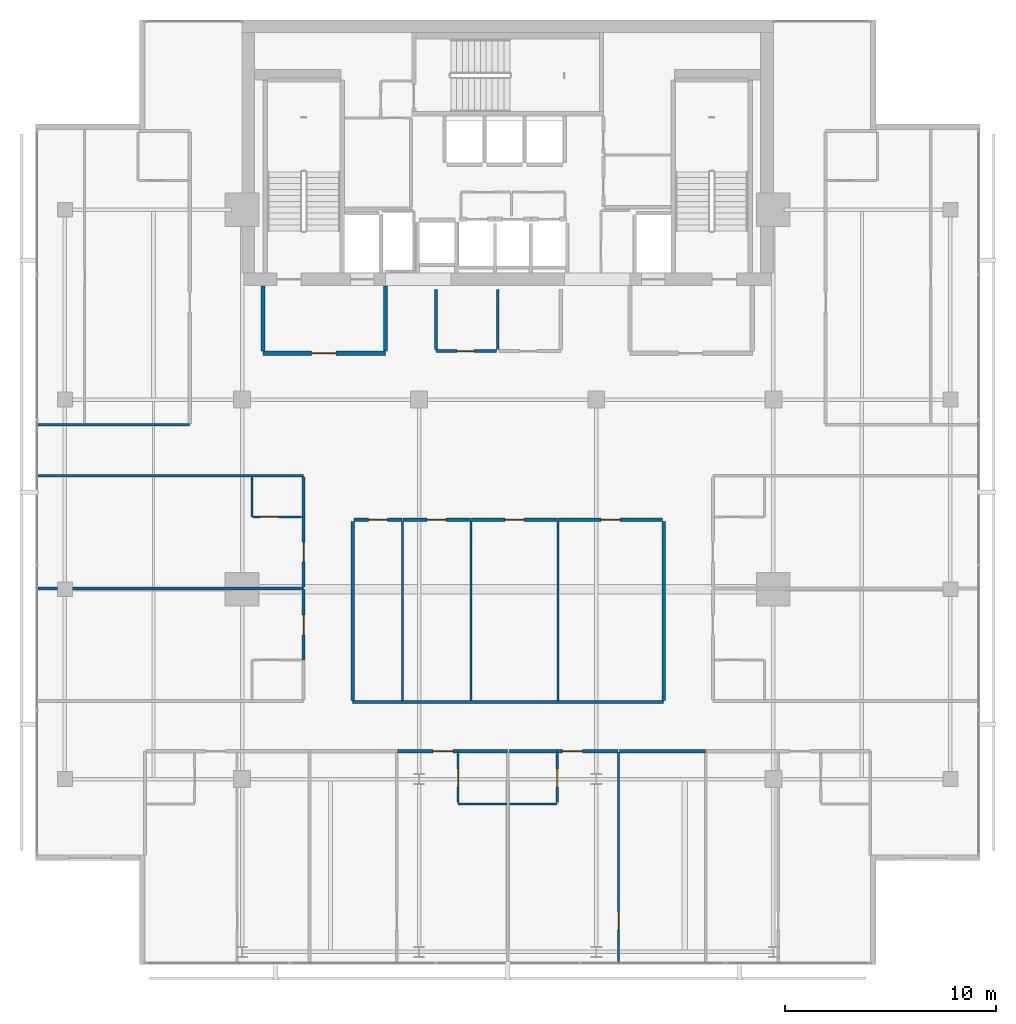
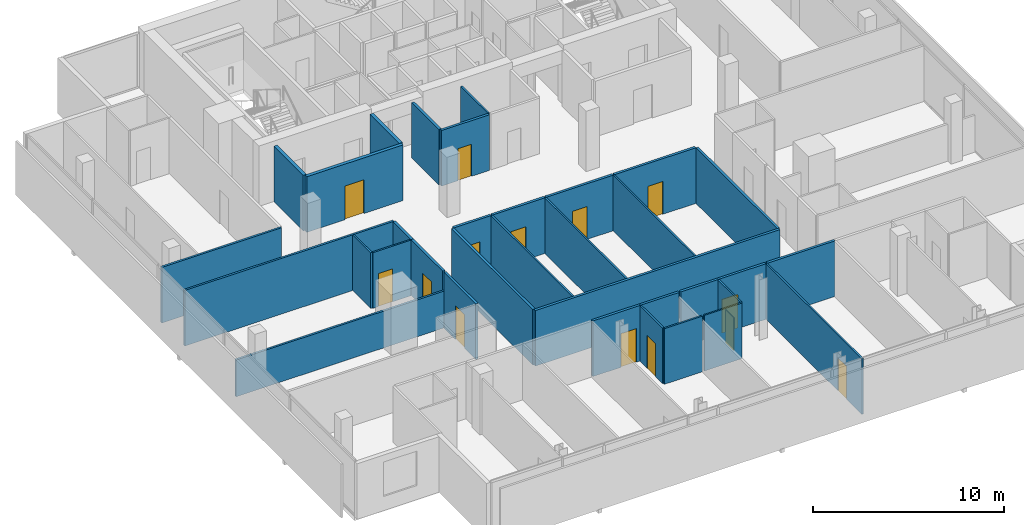
# One storey, part 20 of 26: 34 walls, 14 doors, 14 openings.
"""IFC4 building model written with IfcOpenShell, lengths in metres."""

from ifc_helpers import new_model, si_unit, direction, frame, frame_2d, origin, place, context, subcontext, project, spatial, rectangle, extrude, material, layer, layer_set, type_object, element, fill, save


model = new_model("IFC4")

# Units and contexts
model_context = context("Model", 3, precision=1e-05, world=origin(), true_north=direction((0.0, 1.0)))
body_context = subcontext(model_context, "Body", "Model", "MODEL_VIEW")
ifc_project = project(units=[si_unit("LENGTHUNIT", "METRE"), si_unit("AREAUNIT", "SQUARE_METRE"), si_unit("VOLUMEUNIT", "CUBIC_METRE"), si_unit("PLANEANGLEUNIT", "RADIAN"), si_unit("MASSUNIT", "GRAM", prefix="KILO")], contexts=[model_context])

# Site, building, storey
site_placement = place(None, origin())
site = spatial("IfcSite", under=ifc_project, at=site_placement, CompositionType="ELEMENT")
building_placement = place(site_placement, origin())
building = spatial("IfcBuilding", under=site, at=building_placement, Name="Maruvema Waterfront Hotel and Observation Tower", CompositionType="ELEMENT")
storey_placement = place(building_placement, frame((0.0, 0.0, 312.550048828125)))
storey = spatial("IfcBuildingStorey", under=building, at=storey_placement, Name="L77", CompositionType="ELEMENT", Elevation=312.550048828125)

# Wall, opening, door
ifc_material_1 = material(Name="Twin-stud acoustic gypsum drywall", Category="gypsum")
ifc_layer_1 = layer(ifc_material_1, 0.14990234375, Name="Acoustic Corridor and Suite Demising Wall 150 mm")
ifc_layer_set_1 = layer_set([ifc_layer_1], Name="Twin-stud acoustic gypsum drywall")
wall_type_1 = type_object("IfcWallType", Name="Acoustic Corridor and Suite Demising Wall 150 mm", PredefinedType="PARTITIONING", material=ifc_layer_set_1)
wall_1_placement = place(storey_placement, frame((34.39990234375, 38.300048828125, 0.0), z_axis=(0.0, 0.0, 1.0), x_axis=(1.0, 0.0, 0.0)))
wall_1 = element("IfcWall", 1, at=wall_1_placement, inside=storey, type_object=wall_type_1, Name="L77 Core Apron K2A South 026", PredefinedType="PARTITIONING", context=body_context, shape_type="SweptSolid", body=[
    extrude(rectangle(XDim=2.880126953125, YDim=0.14990234375, at=frame_2d((1.43994140625, 0.0))), origin(), (0.0, 0.0, 1.0), 3.550048828125),
])
opening_1_placement = place(wall_1_placement, frame((1.0, 0.0, 0.0)))
opening_1 = element("IfcOpeningElement", 2, at=opening_1_placement, cuts=wall_1, Name="Opening DR-080", PredefinedType="OPENING", context=body_context, shape_type="SweptSolid", body=[
    extrude(rectangle(XDim=0.800048828125, YDim=2.050048828125, at=frame_2d((0.39990234375, 1.02490234375))), frame((0.0, 0.0849609375, 0.0), z_axis=(0.0, -1.0, 0.0), x_axis=(1.0, 0.0, 0.0)), (0.0, 0.0, 1.0), 0.169921875),
])
ifc_material_2 = material(Name="Powder-coated steel access leaf", Category="steel")
door_type_1 = type_object("IfcDoorType", Name="Riser and Service Cupboard Door 800x2050 mm", OperationType="NOTDEFINED", PredefinedType="DOOR", material=ifc_material_2)
door_1_placement = place(opening_1_placement, frame((0.800048828125, 0.0, 0.0), z_axis=(0.0, 0.0, 1.0), x_axis=(-1.0, 0.0, 0.0)))
door_1 = element("IfcDoor", 3, at=door_1_placement, inside=storey, type_object=door_type_1, Name="L77 Core Ice Alcove Door", OperationType="SINGLE_SWING_RIGHT", OverallHeight=2.050048828125, OverallWidth=0.800048828125, PredefinedType="DOOR", context=body_context, shape_type="SweptSolid", body=[
    extrude(rectangle(XDim=0.800048828125, YDim=2.050048828125, at=frame_2d((0.39990234375, 1.02490234375))), frame((0.0, 0.02490234375, 0.0), z_axis=(0.0, -1.0, 0.0), x_axis=(1.0, 0.0, 0.0)), (0.0, 0.0, 1.0), 0.050048828125),
])
fill(opening_1, door_1)

# Walls
wall_2_placement = place(storey_placement, frame((34.39990234375, 38.3798828125, 0.0), z_axis=(0.0, 0.0, 1.0), x_axis=(0.0, 1.0, 0.0)))
element("IfcWall", 4, at=wall_2_placement, inside=storey, type_object=wall_type_1, Name="L77 Core Apron K2 West 028", PredefinedType="PARTITIONING", context=body_context, shape_type="SweptSolid", body=[
    extrude(rectangle(XDim=2.840087890625, YDim=0.14990234375, at=frame_2d((1.419921875, 0.0))), origin(), (0.0, 0.0, 1.0), 3.550048828125),
])
wall_3_placement = place(storey_placement, frame((30.449951171875, 21.64990234375, 0.0), z_axis=(0.0, 0.0, 1.0), x_axis=(1.0, 0.0, 0.0)))
element("IfcWall", 5, at=wall_3_placement, inside=storey, type_object=wall_type_1, Name="L77 L77-Z3M Back Wall 031", PredefinedType="PARTITIONING", context=body_context, shape_type="SweptSolid", body=[
    extrude(rectangle(XDim=14.75, YDim=0.14990234375, at=frame_2d((7.375, 0.0))), origin(), (0.0, 0.0, 1.0), 3.550048828125),
])
for number, where, z_axis, x_axis, name in (
    (6, (30.449951171875, 21.72998046875, 0.0), (0.0, 0.0, 1.0), (0.0, 1.0, 0.0), "L77 L77-Z3M West Wall 032"),
    (7, (45.199951171875, 21.72998046875, 0.0), (0.0, 0.0, 1.0), (0.0, 1.0, 0.0), "L77 L77-Z3M East Wall 033"),
):
    element("IfcWall", number, at=place(storey_placement, frame(where, z_axis=z_axis, x_axis=x_axis)), inside=storey, type_object=wall_type_1, Name=name, PredefinedType="PARTITIONING", context=body_context, shape_type="SweptSolid", body=[
        extrude(rectangle(XDim=8.489990234375, YDim=0.14990234375, at=frame_2d((4.2451171875, 0.0))), origin(), (0.0, 0.0, 1.0), 3.550048828125),
    ])

# Wall, opening, door
wall_4_placement = place(storey_placement, frame((30.510009765625, 30.300048828125, 0.0), z_axis=(0.0, 0.0, 1.0), x_axis=(1.0, 0.0, 0.0)))
wall_4 = element("IfcWall", 8, at=wall_4_placement, inside=storey, type_object=wall_type_1, Name="L77 L77-Z3M Front 1 034", PredefinedType="PARTITIONING", context=body_context, shape_type="SweptSolid", body=[
    extrude(rectangle(XDim=2.27001953125, YDim=0.14990234375, at=frame_2d((1.135009765625, 0.0))), origin(), (0.0, 0.0, 1.0), 3.550048828125),
])
opening_2_placement = place(wall_4_placement, frame((0.68505859375, 0.0, 0.0)))
opening_2 = element("IfcOpeningElement", 9, at=opening_2_placement, cuts=wall_4, Name="Opening DR-090", PredefinedType="OPENING", context=body_context, shape_type="SweptSolid", body=[
    extrude(rectangle(XDim=0.89990234375, YDim=2.10009765625, at=frame_2d((0.449951171875, 1.050048828125))), frame((0.0, 0.0849609375, 0.0), z_axis=(0.0, -1.0, 0.0), x_axis=(1.0, 0.0, 0.0)), (0.0, 0.0, 1.0), 0.169921875),
])
ifc_material_3 = material(Name="Solid-core lacquered timber leaf", Category="wood")
door_type_2 = type_object("IfcDoorType", Name="Accessible Toilet and Room Door 900x2100 mm", OperationType="NOTDEFINED", PredefinedType="DOOR", material=ifc_material_3)
door_2_placement = place(opening_2_placement, origin())
door_2 = element("IfcDoor", 10, at=door_2_placement, inside=storey, type_object=door_type_2, Name="L77 Royal Dining Salon 1 Door", OperationType="SINGLE_SWING_RIGHT", OverallHeight=2.10009765625, OverallWidth=0.89990234375, PredefinedType="DOOR", context=body_context, shape_type="SweptSolid", body=[
    extrude(rectangle(XDim=0.89990234375, YDim=2.10009765625, at=frame_2d((0.449951171875, 1.050048828125))), frame((0.0, 0.02490234375, 0.0), z_axis=(0.0, -1.0, 0.0), x_axis=(1.0, 0.0, 0.0)), (0.0, 0.0, 1.0), 0.050048828125),
])
fill(opening_2, door_2)

wall_5_placement = place(storey_placement, frame((32.840087890625, 30.300048828125, 0.0), z_axis=(0.0, 0.0, 1.0), x_axis=(1.0, 0.0, 0.0)))
wall_5 = element("IfcWall", 11, at=wall_5_placement, inside=storey, type_object=wall_type_1, Name="L77 L77-Z3M Front 2 036", PredefinedType="PARTITIONING", context=body_context, shape_type="SweptSolid", body=[
    extrude(rectangle(XDim=3.184814453125, YDim=0.14990234375, at=frame_2d((1.59228515625, 0.0))), origin(), (0.0, 0.0, 1.0), 3.550048828125),
])
opening_3_placement = place(wall_5_placement, frame((1.142578125, 0.0, 0.0)))
opening_3 = element("IfcOpeningElement", 12, at=opening_3_placement, cuts=wall_5, Name="Opening DR-090", PredefinedType="OPENING", context=body_context, shape_type="SweptSolid", body=[
    extrude(rectangle(XDim=0.89990234375, YDim=2.10009765625, at=frame_2d((0.449951171875, 1.050048828125))), frame((0.0, 0.0849609375, 0.0), z_axis=(0.0, -1.0, 0.0), x_axis=(1.0, 0.0, 0.0)), (0.0, 0.0, 1.0), 0.169921875),
])
door_3_placement = place(opening_3_placement, origin())
door_3 = element("IfcDoor", 13, at=door_3_placement, inside=storey, type_object=door_type_2, Name="L77 Royal Dining Salon 2 Door", OperationType="SINGLE_SWING_LEFT", OverallHeight=2.10009765625, OverallWidth=0.89990234375, PredefinedType="DOOR", context=body_context, shape_type="SweptSolid", body=[
    extrude(rectangle(XDim=0.89990234375, YDim=2.10009765625, at=frame_2d((0.449951171875, 1.050048828125))), frame((0.0, 0.02490234375, 0.0), z_axis=(0.0, -1.0, 0.0), x_axis=(1.0, 0.0, 0.0)), (0.0, 0.0, 1.0), 0.050048828125),
])
fill(opening_3, door_3)

wall_6_placement = place(storey_placement, frame((36.0849609375, 30.300048828125, 0.0), z_axis=(0.0, 0.0, 1.0), x_axis=(1.0, 0.0, 0.0)))
wall_6 = element("IfcWall", 14, at=wall_6_placement, inside=storey, type_object=wall_type_1, Name="L77 L77-Z3M Front 3 038", PredefinedType="PARTITIONING", context=body_context, shape_type="SweptSolid", body=[
    extrude(rectangle(XDim=4.070068359375, YDim=0.14990234375, at=frame_2d((2.03515625, 0.0))), origin(), (0.0, 0.0, 1.0), 3.550048828125),
])
opening_4_placement = place(wall_6_placement, frame((1.5849609375, 0.0, 0.0)))
opening_4 = element("IfcOpeningElement", 15, at=opening_4_placement, cuts=wall_6, Name="Opening DR-090", PredefinedType="OPENING", context=body_context, shape_type="SweptSolid", body=[
    extrude(rectangle(XDim=0.89990234375, YDim=2.10009765625, at=frame_2d((0.449951171875, 1.050048828125))), frame((0.0, 0.0849609375, 0.0), z_axis=(0.0, -1.0, 0.0), x_axis=(1.0, 0.0, 0.0)), (0.0, 0.0, 1.0), 0.169921875),
])
door_4_placement = place(opening_4_placement, origin())
door_4 = element("IfcDoor", 16, at=door_4_placement, inside=storey, type_object=door_type_2, Name="L77 Royal Show Kitchen Door", OperationType="SINGLE_SWING_RIGHT", OverallHeight=2.10009765625, OverallWidth=0.89990234375, PredefinedType="DOOR", context=body_context, shape_type="SweptSolid", body=[
    extrude(rectangle(XDim=0.89990234375, YDim=2.10009765625, at=frame_2d((0.449951171875, 1.050048828125))), frame((0.0, 0.02490234375, 0.0), z_axis=(0.0, -1.0, 0.0), x_axis=(1.0, 0.0, 0.0)), (0.0, 0.0, 1.0), 0.050048828125),
])
fill(opening_4, door_4)

wall_7_placement = place(storey_placement, frame((40.215087890625, 30.300048828125, 0.0), z_axis=(0.0, 0.0, 1.0), x_axis=(1.0, 0.0, 0.0)))
wall_7 = element("IfcWall", 17, at=wall_7_placement, inside=storey, type_object=wall_type_1, Name="L77 L77-Z3M Front 4 040", PredefinedType="PARTITIONING", context=body_context, shape_type="SweptSolid", body=[
    extrude(rectangle(XDim=4.9248046875, YDim=0.14990234375, at=frame_2d((2.46240234375, 0.0))), origin(), (0.0, 0.0, 1.0), 3.550048828125),
])
opening_5_placement = place(wall_7_placement, frame((2.012451171875, 0.0, 0.0)))
opening_5 = element("IfcOpeningElement", 18, at=opening_5_placement, cuts=wall_7, Name="Opening DR-090", PredefinedType="OPENING", context=body_context, shape_type="SweptSolid", body=[
    extrude(rectangle(XDim=0.89990234375, YDim=2.10009765625, at=frame_2d((0.449951171875, 1.050048828125))), frame((0.0, 0.0849609375, 0.0), z_axis=(0.0, -1.0, 0.0), x_axis=(1.0, 0.0, 0.0)), (0.0, 0.0, 1.0), 0.169921875),
])
door_5_placement = place(opening_5_placement, origin())
door_5 = element("IfcDoor", 19, at=door_5_placement, inside=storey, type_object=door_type_2, Name="L77 Security Office Door", OperationType="SINGLE_SWING_LEFT", OverallHeight=2.10009765625, OverallWidth=0.89990234375, PredefinedType="DOOR", context=body_context, shape_type="SweptSolid", body=[
    extrude(rectangle(XDim=0.89990234375, YDim=2.10009765625, at=frame_2d((0.449951171875, 1.050048828125))), frame((0.0, 0.02490234375, 0.0), z_axis=(0.0, -1.0, 0.0), x_axis=(1.0, 0.0, 0.0)), (0.0, 0.0, 1.0), 0.050048828125),
])
fill(opening_5, door_5)

# Wall
wall_8_placement = place(storey_placement, frame((35.449951171875, 19.320068359375, 0.0), z_axis=(0.0, 0.0, 1.0), x_axis=(1.0, 0.0, 0.0)))
element("IfcWall", 20, at=wall_8_placement, inside=storey, type_object=wall_type_1, Name="L77 Bath L77-S2 Back Wall 050", PredefinedType="PARTITIONING", context=body_context, shape_type="SweptSolid", body=[
    extrude(rectangle(XDim=2.330078125, YDim=0.14990234375, at=frame_2d((1.1650390625, 0.0))), origin(), (0.0, 0.0, 1.0), 3.550048828125),
])

# Wall, opening, door
wall_9_placement = place(storey_placement, frame((32.575927734375, 19.320068359375, 0.0), z_axis=(0.0, 0.0, 1.0), x_axis=(1.0, 0.0, 0.0)))
wall_9 = element("IfcWall", 21, at=wall_9_placement, inside=storey, type_object=wall_type_1, Name="L77 Unit L77-S2 Corridor Wall 054", PredefinedType="PARTITIONING", context=body_context, shape_type="SweptSolid", body=[
    extrude(rectangle(XDim=2.8740234375, YDim=0.14990234375, at=frame_2d((1.43701171875, 0.0))), origin(), (0.0, 0.0, 1.0), 3.550048828125),
])
opening_6_placement = place(wall_9_placement, frame((1.681884765625, 0.0, 0.0)))
opening_6 = element("IfcOpeningElement", 22, at=opening_6_placement, cuts=wall_9, Name="Opening DR-095", PredefinedType="OPENING", context=body_context, shape_type="SweptSolid", body=[
    extrude(rectangle(XDim=0.949951171875, YDim=2.14990234375, at=frame_2d((0.47509765625, 1.074951171875))), frame((0.0, 0.0849609375, 0.0), z_axis=(0.0, -1.0, 0.0), x_axis=(1.0, 0.0, 0.0)), (0.0, 0.0, 1.0), 0.169921875),
])
ifc_material_4 = material(Name="Acoustic solid-core hardwood timber leaf", Category="wood")
door_type_3 = type_object("IfcDoorType", Name="Guestroom Entrance Fire Door 950x2150 mm", OperationType="NOTDEFINED", PredefinedType="DOOR", material=ifc_material_4)
door_6_placement = place(opening_6_placement, frame((0.949951171875, 0.0, 0.0), z_axis=(0.0, 0.0, 1.0), x_axis=(-1.0, 0.0, 0.0)))
door_6 = element("IfcDoor", 23, at=door_6_placement, inside=storey, type_object=door_type_3, Name="L77 Unit L77-S2 Entrance Door", OperationType="SINGLE_SWING_RIGHT", OverallHeight=2.14990234375, OverallWidth=0.949951171875, PredefinedType="DOOR", context=body_context, shape_type="SweptSolid", body=[
    extrude(rectangle(XDim=0.949951171875, YDim=2.14990234375, at=frame_2d((0.47509765625, 1.074951171875))), frame((0.0, 0.02490234375, 0.0), z_axis=(0.0, -1.0, 0.0), x_axis=(1.0, 0.0, 0.0)), (0.0, 0.0, 1.0), 0.050048828125),
])
fill(opening_6, door_6)

# Wall
wall_10_placement = place(storey_placement, frame((37.8798828125, 19.320068359375, 0.0), z_axis=(0.0, 0.0, 1.0), x_axis=(1.0, 0.0, 0.0)))
element("IfcWall", 24, at=wall_10_placement, inside=storey, type_object=wall_type_1, Name="L77 Bath L77-S3 Back Wall 057", PredefinedType="PARTITIONING", context=body_context, shape_type="SweptSolid", body=[
    extrude(rectangle(XDim=2.27001953125, YDim=0.14990234375, at=frame_2d((1.135009765625, 0.0))), origin(), (0.0, 0.0, 1.0), 3.550048828125),
])

# Wall, opening, door
wall_11_placement = place(storey_placement, frame((40.14990234375, 19.320068359375, 0.0), z_axis=(0.0, 0.0, 1.0), x_axis=(1.0, 0.0, 0.0)))
wall_11 = element("IfcWall", 25, at=wall_11_placement, inside=storey, type_object=wall_type_1, Name="L77 Unit L77-S3 Corridor Wall 060", PredefinedType="PARTITIONING", context=body_context, shape_type="SweptSolid", body=[
    extrude(rectangle(XDim=2.8740234375, YDim=0.14990234375, at=frame_2d((1.43701171875, 0.0))), origin(), (0.0, 0.0, 1.0), 3.550048828125),
])
opening_7_placement = place(wall_11_placement, frame((0.241943359375, 0.0, 0.0)))
opening_7 = element("IfcOpeningElement", 26, at=opening_7_placement, cuts=wall_11, Name="Opening DR-095", PredefinedType="OPENING", context=body_context, shape_type="SweptSolid", body=[
    extrude(rectangle(XDim=0.949951171875, YDim=2.14990234375, at=frame_2d((0.47509765625, 1.074951171875))), frame((0.0, 0.0849609375, 0.0), z_axis=(0.0, -1.0, 0.0), x_axis=(1.0, 0.0, 0.0)), (0.0, 0.0, 1.0), 0.169921875),
])
door_7_placement = place(opening_7_placement, frame((0.949951171875, 0.0, 0.0), z_axis=(0.0, 0.0, 1.0), x_axis=(-1.0, 0.0, 0.0)))
door_7 = element("IfcDoor", 27, at=door_7_placement, inside=storey, type_object=door_type_3, Name="L77 Unit L77-S3 Entrance Door", OperationType="SINGLE_SWING_LEFT", OverallHeight=2.14990234375, OverallWidth=0.949951171875, PredefinedType="DOOR", context=body_context, shape_type="SweptSolid", body=[
    extrude(rectangle(XDim=0.949951171875, YDim=2.14990234375, at=frame_2d((0.47509765625, 1.074951171875))), frame((0.0, 0.02490234375, 0.0), z_axis=(0.0, -1.0, 0.0), x_axis=(1.0, 0.0, 0.0)), (0.0, 0.0, 1.0), 0.050048828125),
])
fill(opening_7, door_7)

# Wall
wall_12_placement = place(storey_placement, frame((43.10400390625, 19.320068359375, 0.0), z_axis=(0.0, 0.0, 1.0), x_axis=(1.0, 0.0, 0.0)))
element("IfcWall", 28, at=wall_12_placement, inside=storey, type_object=wall_type_1, Name="L77 Bedroom L77-S3 Back Wall 061", PredefinedType="PARTITIONING", context=body_context, shape_type="SweptSolid", body=[
    extrude(rectangle(XDim=4.075927734375, YDim=0.14990234375, at=frame_2d((2.0380859375, 0.0))), origin(), (0.0, 0.0, 1.0), 3.550048828125),
])

# Wall, opening, door
wall_13_placement = place(storey_placement, frame((28.1201171875, 23.64990234375, 0.0), z_axis=(0.0, 0.0, 1.0), x_axis=(0.0, 1.0, 0.0)))
wall_13 = element("IfcWall", 29, at=wall_13_placement, inside=storey, type_object=wall_type_1, Name="L77 Room L77-W1 Corridor Wall 075", PredefinedType="PARTITIONING", context=body_context, shape_type="SweptSolid", body=[
    extrude(rectangle(XDim=3.330078125, YDim=0.14990234375, at=frame_2d((1.6650390625, 0.0))), origin(), (0.0, 0.0, 1.0), 3.550048828125),
])
opening_8_placement = place(wall_13_placement, frame((1.18994140625, 0.0, 0.0)))
opening_8 = element("IfcOpeningElement", 30, at=opening_8_placement, cuts=wall_13, Name="Opening DR-095", PredefinedType="OPENING", context=body_context, shape_type="SweptSolid", body=[
    extrude(rectangle(XDim=0.949951171875, YDim=2.14990234375, at=frame_2d((0.47509765625, 1.074951171875))), frame((0.0, 0.0849609375, 0.0), z_axis=(0.0, -1.0, 0.0), x_axis=(1.0, 0.0, 0.0)), (0.0, 0.0, 1.0), 0.169921875),
])
door_8_placement = place(opening_8_placement, origin())
door_8 = element("IfcDoor", 31, at=door_8_placement, inside=storey, type_object=door_type_3, Name="L77 Room L77-W1 Entrance Door", OperationType="SINGLE_SWING_LEFT", OverallHeight=2.14990234375, OverallWidth=0.949951171875, PredefinedType="DOOR", context=body_context, shape_type="SweptSolid", body=[
    extrude(rectangle(XDim=0.949951171875, YDim=2.14990234375, at=frame_2d((0.47509765625, 1.074951171875))), frame((0.0, 0.02490234375, 0.0), z_axis=(0.0, -1.0, 0.0), x_axis=(1.0, 0.0, 0.0)), (0.0, 0.0, 1.0), 0.050048828125),
])
fill(opening_8, door_8)

wall_14_placement = place(storey_placement, frame((28.1201171875, 27.10009765625, 0.0), z_axis=(0.0, 0.0, 1.0), x_axis=(0.0, 1.0, 0.0)))
wall_14 = element("IfcWall", 32, at=wall_14_placement, inside=storey, type_object=wall_type_1, Name="L77 Room L77-W2 Corridor Wall 084", PredefinedType="PARTITIONING", context=body_context, shape_type="SweptSolid", body=[
    extrude(rectangle(XDim=3.329833984375, YDim=0.14990234375, at=frame_2d((1.6650390625, 0.0))), origin(), (0.0, 0.0, 1.0), 3.550048828125),
])
opening_9_placement = place(wall_14_placement, frame((1.18994140625, 0.0, 0.0)))
opening_9 = element("IfcOpeningElement", 33, at=opening_9_placement, cuts=wall_14, Name="Opening DR-095", PredefinedType="OPENING", context=body_context, shape_type="SweptSolid", body=[
    extrude(rectangle(XDim=0.949951171875, YDim=2.14990234375, at=frame_2d((0.47509765625, 1.074951171875))), frame((0.0, 0.0849609375, 0.0), z_axis=(0.0, -1.0, 0.0), x_axis=(1.0, 0.0, 0.0)), (0.0, 0.0, 1.0), 0.169921875),
])
door_9_placement = place(opening_9_placement, origin())
door_9 = element("IfcDoor", 34, at=door_9_placement, inside=storey, type_object=door_type_3, Name="L77 Room L77-W2 Entrance Door", OperationType="SINGLE_SWING_LEFT", OverallHeight=2.14990234375, OverallWidth=0.949951171875, PredefinedType="DOOR", context=body_context, shape_type="SweptSolid", body=[
    extrude(rectangle(XDim=0.949951171875, YDim=2.14990234375, at=frame_2d((0.47509765625, 1.074951171875))), frame((0.0, 0.02490234375, 0.0), z_axis=(0.0, -1.0, 0.0), x_axis=(1.0, 0.0, 0.0)), (0.0, 0.0, 1.0), 0.050048828125),
])
fill(opening_9, door_9)

# Walls
wall_15_placement = place(storey_placement, frame((28.1201171875, 30.429931640625, 0.0), z_axis=(0.0, 0.0, 1.0), x_axis=(0.0, 1.0, 0.0)))
element("IfcWall", 35, at=wall_15_placement, inside=storey, type_object=wall_type_1, Name="L77 Bath L77-W2 Wall 085", PredefinedType="PARTITIONING", context=body_context, shape_type="SweptSolid", body=[
    extrude(rectangle(XDim=1.89013671875, YDim=0.14990234375, at=frame_2d((0.945068359375, 0.0))), origin(), (0.0, 0.0, 1.0), 3.550048828125),
])
ifc_material_5 = material(Name="Moisture-resistant cement-board drywall", Category="gypsum")
ifc_layer_2 = layer(ifc_material_5, 0.10009765625, Name="En-Suite Moisture-Resistant Partition 100 mm")
ifc_layer_set_2 = layer_set([ifc_layer_2], Name="Moisture-resistant cement-board drywall")
wall_type_2 = type_object("IfcWallType", Name="En-Suite Moisture-Resistant Partition 100 mm", PredefinedType="PARTITIONING", material=ifc_layer_set_2)
wall_16_placement = place(storey_placement, frame((37.330078125, 38.3798828125, 0.0), z_axis=(0.0, 0.0, 1.0), x_axis=(0.0, 1.0, 0.0)))
element("IfcWall", 36, at=wall_16_placement, inside=storey, type_object=wall_type_2, Name="L77 Core Apron K2 Split 029", PredefinedType="PARTITIONING", context=body_context, shape_type="SweptSolid", body=[
    extrude(rectangle(XDim=2.840087890625, YDim=0.10009765625, at=frame_2d((1.419921875, 0.0))), origin(), (0.0, 0.0, 1.0), 3.550048828125),
])
for number, where, z_axis, x_axis, name in (
    (37, (32.81005859375, 21.72998046875, 0.0), (0.0, 0.0, 1.0), (0.0, 1.0, 0.0), "L77 L77-Z3M Split 1 035"),
    (38, (36.054931640625, 21.72998046875, 0.0), (0.0, 0.0, 1.0), (0.0, 1.0, 0.0), "L77 L77-Z3M Split 2 037"),
    (39, (40.18505859375, 21.72998046875, 0.0), (0.0, 0.0, 1.0), (0.0, 1.0, 0.0), "L77 L77-Z3M Split 3 039"),
):
    element("IfcWall", number, at=place(storey_placement, frame(where, z_axis=z_axis, x_axis=x_axis)), inside=storey, type_object=wall_type_2, Name=name, PredefinedType="PARTITIONING", context=body_context, shape_type="SweptSolid", body=[
        extrude(rectangle(XDim=8.489990234375, YDim=0.10009765625, at=frame_2d((4.2451171875, 0.0))), origin(), (0.0, 0.0, 1.0), 3.550048828125),
    ])
wall_17_placement = place(storey_placement, frame((35.449951171875, 16.820068359375, 0.0), z_axis=(0.0, 0.0, 1.0), x_axis=(1.0, 0.0, 0.0)))
element("IfcWall", 40, at=wall_17_placement, inside=storey, type_object=wall_type_2, Name="L77 En-Suite L77-S2 South 051", PredefinedType="PARTITIONING", context=body_context, shape_type="SweptSolid", body=[
    extrude(rectangle(XDim=2.31005859375, YDim=0.10009765625, at=frame_2d((1.155029296875, 0.0))), origin(), (0.0, 0.0, 1.0), 3.550048828125),
])

# Wall, opening, door
wall_18_placement = place(storey_placement, frame((35.449951171875, 16.8798828125, 0.0), z_axis=(0.0, 0.0, 1.0), x_axis=(0.0, 1.0, 0.0)))
wall_18 = element("IfcWall", 41, at=wall_18_placement, inside=storey, type_object=wall_type_2, Name="L77 En-Suite L77-S2 West 052", PredefinedType="PARTITIONING", context=body_context, shape_type="SweptSolid", body=[
    extrude(rectangle(XDim=2.340087890625, YDim=0.10009765625, at=frame_2d((1.169921875, 0.0))), origin(), (0.0, 0.0, 1.0), 3.550048828125),
])
opening_10_placement = place(wall_18_placement, frame((0.7451171875, 0.0, 0.0)))
opening_10 = element("IfcOpeningElement", 42, at=opening_10_placement, cuts=wall_18, Name="Opening DR-085", PredefinedType="OPENING", context=body_context, shape_type="SweptSolid", body=[
    extrude(rectangle(XDim=0.85009765625, YDim=2.10009765625, at=frame_2d((0.425048828125, 1.050048828125))), frame((0.0, 0.06005859375, 0.0), z_axis=(0.0, -1.0, 0.0), x_axis=(1.0, 0.0, 0.0)), (0.0, 0.0, 1.0), 0.1201171875),
])
ifc_material_6 = material(Name="Moisture-resistant solid timber leaf", Category="wood")
door_type_4 = type_object("IfcDoorType", Name="En-Suite Bathroom Door 850x2100 mm", OperationType="NOTDEFINED", PredefinedType="DOOR", material=ifc_material_6)
door_10_placement = place(opening_10_placement, origin())
door_10 = element("IfcDoor", 43, at=door_10_placement, inside=storey, type_object=door_type_4, Name="L77 En-Suite L77-S2 Door", OperationType="SINGLE_SWING_LEFT", OverallHeight=2.10009765625, OverallWidth=0.85009765625, PredefinedType="DOOR", context=body_context, shape_type="SweptSolid", body=[
    extrude(rectangle(XDim=0.85009765625, YDim=2.10009765625, at=frame_2d((0.425048828125, 1.050048828125))), frame((0.0, 0.02490234375, 0.0), z_axis=(0.0, -1.0, 0.0), x_axis=(1.0, 0.0, 0.0)), (0.0, 0.0, 1.0), 0.050048828125),
])
fill(opening_10, door_10)

# Wall
wall_19_placement = place(storey_placement, frame((37.8798828125, 16.820068359375, 0.0), z_axis=(0.0, 0.0, 1.0), x_axis=(1.0, 0.0, 0.0)))
element("IfcWall", 44, at=wall_19_placement, inside=storey, type_object=wall_type_2, Name="L77 En-Suite L77-S3 South 058", PredefinedType="PARTITIONING", context=body_context, shape_type="SweptSolid", body=[
    extrude(rectangle(XDim=2.27001953125, YDim=0.10009765625, at=frame_2d((1.135009765625, 0.0))), origin(), (0.0, 0.0, 1.0), 3.550048828125),
])

# Wall, opening, door
wall_20_placement = place(storey_placement, frame((40.14990234375, 16.8798828125, 0.0), z_axis=(0.0, 0.0, 1.0), x_axis=(0.0, 1.0, 0.0)))
wall_20 = element("IfcWall", 45, at=wall_20_placement, inside=storey, type_object=wall_type_2, Name="L77 En-Suite L77-S3 East 059", PredefinedType="PARTITIONING", context=body_context, shape_type="SweptSolid", body=[
    extrude(rectangle(XDim=2.340087890625, YDim=0.10009765625, at=frame_2d((1.169921875, 0.0))), origin(), (0.0, 0.0, 1.0), 3.550048828125),
])
opening_11_placement = place(wall_20_placement, frame((0.7451171875, 0.0, 0.0)))
opening_11 = element("IfcOpeningElement", 46, at=opening_11_placement, cuts=wall_20, Name="Opening DR-085", PredefinedType="OPENING", context=body_context, shape_type="SweptSolid", body=[
    extrude(rectangle(XDim=0.85009765625, YDim=2.10009765625, at=frame_2d((0.425048828125, 1.050048828125))), frame((0.0, 0.06005859375, 0.0), z_axis=(0.0, -1.0, 0.0), x_axis=(1.0, 0.0, 0.0)), (0.0, 0.0, 1.0), 0.1201171875),
])
door_11_placement = place(opening_11_placement, frame((0.85009765625, 0.0, 0.0), z_axis=(0.0, 0.0, 1.0), x_axis=(-1.0, 0.0, 0.0)))
door_11 = element("IfcDoor", 47, at=door_11_placement, inside=storey, type_object=door_type_4, Name="L77 En-Suite L77-S3 Door", OperationType="SINGLE_SWING_RIGHT", OverallHeight=2.10009765625, OverallWidth=0.85009765625, PredefinedType="DOOR", context=body_context, shape_type="SweptSolid", body=[
    extrude(rectangle(XDim=0.85009765625, YDim=2.10009765625, at=frame_2d((0.425048828125, 1.050048828125))), frame((0.0, 0.02490234375, 0.0), z_axis=(0.0, -1.0, 0.0), x_axis=(1.0, 0.0, 0.0)), (0.0, 0.0, 1.0), 0.050048828125),
])
fill(opening_11, door_11)

wall_21_placement = place(storey_placement, frame((43.06396484375, 9.22998046875, 0.0), z_axis=(0.0, 0.0, 1.0), x_axis=(0.0, 1.0, 0.0)))
wall_21 = element("IfcWall", 48, at=wall_21_placement, inside=storey, type_object=wall_type_2, Name="L77 Suite L77-S3 Split 062", PredefinedType="PARTITIONING", context=body_context, shape_type="SweptSolid", body=[
    extrude(rectangle(XDim=10.030029296875, YDim=0.10009765625, at=frame_2d((5.01513671875, 0.0))), origin(), (0.0, 0.0, 1.0), 3.550048828125),
])
opening_12_placement = place(wall_21_placement, frame((1.60009765625, 0.0, 0.0)))
opening_12 = element("IfcOpeningElement", 49, at=opening_12_placement, cuts=wall_21, Name="Opening DR-090", PredefinedType="OPENING", context=body_context, shape_type="SweptSolid", body=[
    extrude(rectangle(XDim=0.89990234375, YDim=2.10009765625, at=frame_2d((0.449951171875, 1.050048828125))), frame((0.0, 0.06005859375, 0.0), z_axis=(0.0, -1.0, 0.0), x_axis=(1.0, 0.0, 0.0)), (0.0, 0.0, 1.0), 0.1201171875),
])
door_12_placement = place(opening_12_placement, origin())
door_12 = element("IfcDoor", 50, at=door_12_placement, inside=storey, type_object=door_type_2, Name="L77 Suite L77-S3 Bedroom Door", OperationType="SINGLE_SWING_RIGHT", OverallHeight=2.10009765625, OverallWidth=0.89990234375, PredefinedType="DOOR", context=body_context, shape_type="SweptSolid", body=[
    extrude(rectangle(XDim=0.89990234375, YDim=2.10009765625, at=frame_2d((0.449951171875, 1.050048828125))), frame((0.0, 0.02490234375, 0.0), z_axis=(0.0, -1.0, 0.0), x_axis=(1.0, 0.0, 0.0)), (0.0, 0.0, 1.0), 0.050048828125),
])
fill(opening_12, door_12)

# Wall
wall_22_placement = place(storey_placement, frame((25.669921875, 30.429931640625, 0.0), z_axis=(0.0, 0.0, 1.0), x_axis=(0.0, 1.0, 0.0)))
element("IfcWall", 51, at=wall_22_placement, inside=storey, type_object=wall_type_2, Name="L77 En-Suite L77-W2 W 086", PredefinedType="PARTITIONING", context=body_context, shape_type="SweptSolid", body=[
    extrude(rectangle(XDim=1.89013671875, YDim=0.10009765625, at=frame_2d((0.945068359375, 0.0))), origin(), (0.0, 0.0, 1.0), 3.550048828125),
])

# Wall, opening, door
wall_23_placement = place(storey_placement, frame((25.719970703125, 30.429931640625, 0.0), z_axis=(0.0, 0.0, 1.0), x_axis=(1.0, 0.0, 0.0)))
wall_23 = element("IfcWall", 52, at=wall_23_placement, inside=storey, type_object=wall_type_2, Name="L77 En-Suite L77-W2 S 087", PredefinedType="PARTITIONING", context=body_context, shape_type="SweptSolid", body=[
    extrude(rectangle(XDim=2.300048828125, YDim=0.10009765625, at=frame_2d((1.14990234375, 0.0))), origin(), (0.0, 0.0, 1.0), 3.550048828125),
])
opening_13_placement = place(wall_23_placement, frame((0.35009765625, 0.0, 0.0)))
opening_13 = element("IfcOpeningElement", 53, at=opening_13_placement, cuts=wall_23, Name="Opening DR-085", PredefinedType="OPENING", context=body_context, shape_type="SweptSolid", body=[
    extrude(rectangle(XDim=0.85009765625, YDim=2.10009765625, at=frame_2d((0.425048828125, 1.050048828125))), frame((0.0, 0.06005859375, 0.0), z_axis=(0.0, -1.0, 0.0), x_axis=(1.0, 0.0, 0.0)), (0.0, 0.0, 1.0), 0.1201171875),
])
door_13_placement = place(opening_13_placement, frame((0.85009765625, 0.0, 0.0), z_axis=(0.0, 0.0, 1.0), x_axis=(-1.0, 0.0, 0.0)))
door_13 = element("IfcDoor", 54, at=door_13_placement, inside=storey, type_object=door_type_4, Name="L77 En-Suite L77-W2 Door", OperationType="SINGLE_SWING_RIGHT", OverallHeight=2.10009765625, OverallWidth=0.85009765625, PredefinedType="DOOR", context=body_context, shape_type="SweptSolid", body=[
    extrude(rectangle(XDim=0.85009765625, YDim=2.10009765625, at=frame_2d((0.425048828125, 1.050048828125))), frame((0.0, 0.02490234375, 0.0), z_axis=(0.0, -1.0, 0.0), x_axis=(1.0, 0.0, 0.0)), (0.0, 0.0, 1.0), 0.050048828125),
])
fill(opening_13, door_13)

ifc_material_7 = material(Name="Autoclaved cellular concrete blockwork", Category="masonry")
ifc_layer_3 = layer(ifc_material_7, 0.199951171875, Name="Fire Compartment Masonry Wall 200 mm")
ifc_layer_set_3 = layer_set([ifc_layer_3], Name="Autoclaved cellular concrete blockwork")
wall_type_3 = type_object("IfcWallType", Name="Fire Compartment Masonry Wall 200 mm", PredefinedType="PARTITIONING", material=ifc_layer_set_3)
wall_24_placement = place(storey_placement, frame((26.199951171875, 38.199951171875, 0.0), z_axis=(0.0, 0.0, 1.0), x_axis=(1.0, 0.0, 0.0)))
wall_24 = element("IfcWall", 55, at=wall_24_placement, inside=storey, type_object=wall_type_3, Name="L77 FFL West South Wall 001", PredefinedType="PARTITIONING", context=body_context, shape_type="SweptSolid", body=[
    extrude(rectangle(XDim=5.800048828125, YDim=0.199951171875, at=frame_2d((2.89990234375, 0.0))), origin(), (0.0, 0.0, 1.0), 3.550048828125),
])
opening_14_placement = place(wall_24_placement, frame((2.300048828125, 0.0, 0.0)))
opening_14 = element("IfcOpeningElement", 56, at=opening_14_placement, cuts=wall_24, Name="Opening FD-115", PredefinedType="OPENING", context=body_context, shape_type="SweptSolid", body=[
    extrude(rectangle(XDim=1.14990234375, YDim=2.14990234375, at=frame_2d((0.574951171875, 1.074951171875))), frame((0.0, 0.10986328125, 0.0), z_axis=(0.0, -1.0, 0.0), x_axis=(1.0, 0.0, 0.0)), (0.0, 0.0, 1.0), 0.219970703125),
])
ifc_material_8 = material(Name="Fire-rated galvanised steel and vision glass", Category="steel")
door_type_5 = type_object("IfcDoorType", Name="Firefighting Lobby Fire Door 1150x2150 mm", OperationType="NOTDEFINED", PredefinedType="DOOR", material=ifc_material_8)
door_14_placement = place(opening_14_placement, frame((1.14990234375, 0.0, 0.0), z_axis=(0.0, 0.0, 1.0), x_axis=(-1.0, 0.0, 0.0)))
door_14 = element("IfcDoor", 57, at=door_14_placement, inside=storey, type_object=door_type_5, Name="L77 Firefighting Lobby West Door", OperationType="SINGLE_SWING_RIGHT", OverallHeight=2.14990234375, OverallWidth=1.14990234375, PredefinedType="DOOR", context=body_context, shape_type="SweptSolid", body=[
    extrude(rectangle(XDim=1.14990234375, YDim=2.14990234375, at=frame_2d((0.574951171875, 1.074951171875))), frame((0.0, 0.02490234375, 0.0), z_axis=(0.0, -1.0, 0.0), x_axis=(1.0, 0.0, 0.0)), (0.0, 0.0, 1.0), 0.050048828125),
])
fill(opening_14, door_14)

# Walls
for number, where, z_axis, x_axis, name in (
    (58, (26.199951171875, 38.31005859375, 0.0), (0.0, 0.0, 1.0), (0.0, 1.0, 0.0), "L77 FFL West West Wall 002"),
    (59, (32.0, 38.31005859375, 0.0), (0.0, 0.0, 1.0), (0.0, 1.0, 0.0), "L77 FFL West East Wall 003"),
):
    element("IfcWall", number, at=place(storey_placement, frame(where, z_axis=z_axis, x_axis=x_axis)), inside=storey, type_object=wall_type_3, Name=name, PredefinedType="PARTITIONING", context=body_context, shape_type="SweptSolid", body=[
        extrude(rectangle(XDim=3.06982421875, YDim=0.199951171875, at=frame_2d((1.534912109375, 0.0))), origin(), (0.0, 0.0, 1.0), 3.550048828125),
    ])
ifc_material_9 = material(Name="Acoustic gypsum plasterboard drywall", Category="gypsum")
ifc_layer_4 = layer(ifc_material_9, 0.125, Name="Guestroom Acoustic Demising Wall 125 mm")
ifc_layer_set_4 = layer_set([ifc_layer_4], Name="Acoustic gypsum plasterboard drywall")
wall_type_4 = type_object("IfcWallType", Name="Guestroom Acoustic Demising Wall 125 mm", PredefinedType="PARTITIONING", material=ifc_layer_set_4)
wall_25_placement = place(storey_placement, frame((15.5, 32.3798828125, 0.0), z_axis=(0.0, 0.0, 1.0), x_axis=(1.0, 0.0, 0.0)))
element("IfcWall", 60, at=wall_25_placement, inside=storey, type_object=wall_type_4, Name="L77 Z3 W Top End 072", PredefinedType="PARTITIONING", context=body_context, shape_type="SweptSolid", body=[
    extrude(rectangle(XDim=12.6201171875, YDim=0.125, at=frame_2d((6.31005859375, 0.0))), origin(), (0.0, 0.0, 1.0), 3.550048828125),
])
wall_26_placement = place(storey_placement, frame((15.5, 27.0400390625, 0.0), z_axis=(0.0, 0.0, 1.0), x_axis=(1.0, 0.0, 0.0)))
element("IfcWall", 61, at=wall_26_placement, inside=storey, type_object=wall_type_4, Name="L77 Z3 W Demising 2 082", PredefinedType="PARTITIONING", context=body_context, shape_type="SweptSolid", body=[
    extrude(rectangle(XDim=12.6201171875, YDim=0.125, at=frame_2d((6.31005859375, 0.0))), origin(), (0.0, 0.0, 1.0), 2.349853515625),
])
wall_27_placement = place(storey_placement, frame((15.5, 34.800048828125, 0.0), z_axis=(0.0, 0.0, 1.0), x_axis=(1.0, 0.0, 0.0)))
element("IfcWall", 62, at=wall_27_placement, inside=storey, type_object=wall_type_4, Name="L77 Z3 NW Bot End 092", PredefinedType="PARTITIONING", context=body_context, shape_type="SweptSolid", body=[
    extrude(rectangle(XDim=7.219970703125, YDim=0.125, at=frame_2d((3.60986328125, 0.0))), origin(), (0.0, 0.0, 1.0), 3.550048828125),
])

save(model, "model.ifc")
